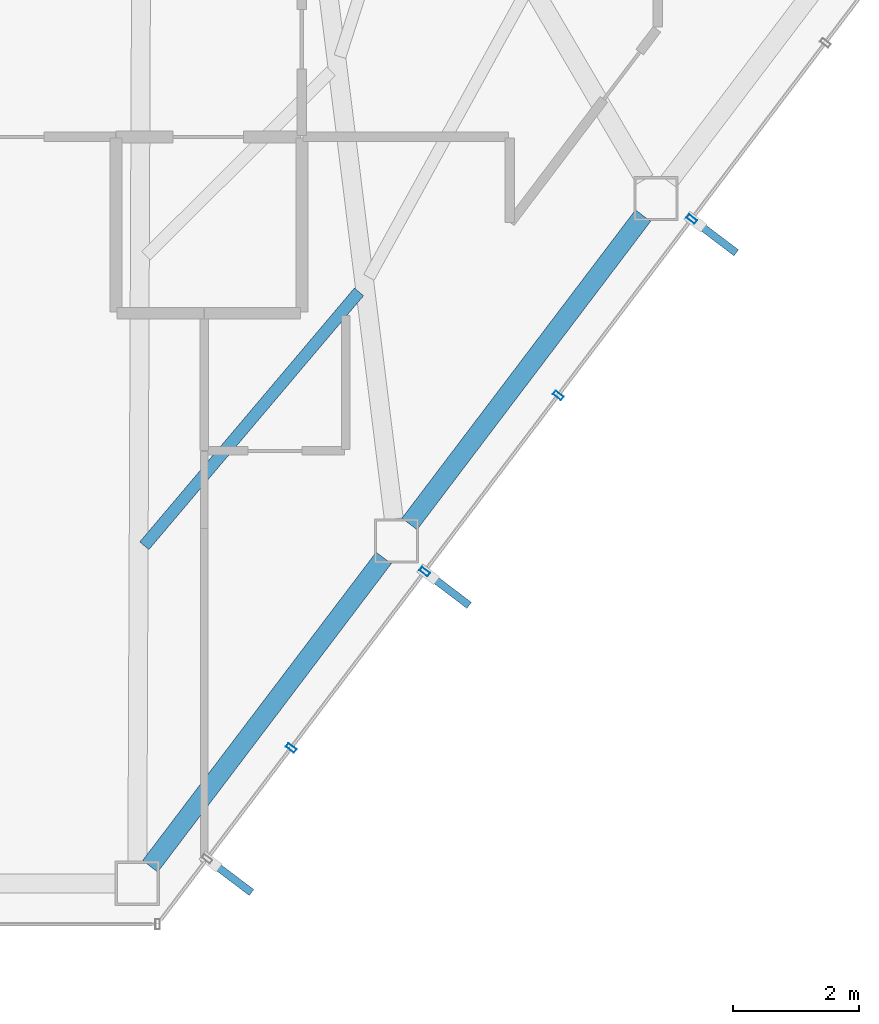
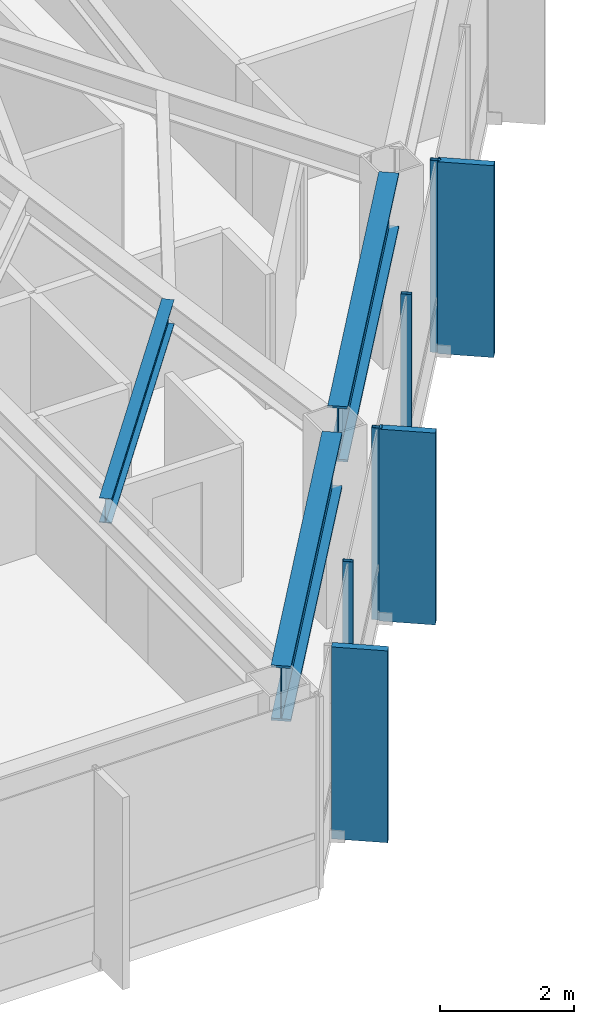
# One storey, part 17 of 28: 7 members, 3 beams, 1 element without a shape of its own.
"""IFC4 building model written with IfcOpenShell, lengths in metres."""

from ifc_helpers import new_model, si_unit, direction, frame, origin, origin_2d, place, context, subcontext, project, spatial, rectangle, hollow_rectangle, i_section, extrude, material, layer, layer_set, material_profile, profile_set, type_object, element, aggregate, save


model = new_model("IFC4")

# Units and contexts
model_context = context("Model", 3, precision=1e-05, world=origin(), true_north=direction((0.0, 1.0)))
body_context = subcontext(model_context, "Body", "Model", "MODEL_VIEW")
ifc_project = project(units=[si_unit("LENGTHUNIT", "METRE"), si_unit("AREAUNIT", "SQUARE_METRE"), si_unit("VOLUMEUNIT", "CUBIC_METRE"), si_unit("PLANEANGLEUNIT", "RADIAN"), si_unit("MASSUNIT", "GRAM", prefix="KILO")], contexts=[model_context])

# Site, building, storey
site_placement = place(None, origin())
site = spatial("IfcSite", under=ifc_project, at=site_placement, CompositionType="ELEMENT")
building_placement = place(site_placement, origin())
building = spatial("IfcBuilding", under=site, at=building_placement, Name="Zarrinselat Tower", CompositionType="ELEMENT")
storey_placement = place(building_placement, frame((0.0, 0.0, 164.56005859375)))
storey = spatial("IfcBuildingStorey", under=building, at=storey_placement, Name="L40", CompositionType="ELEMENT", Elevation=164.56005859375)

# Beams
ifc_material_1 = material(Name="Steel S460M", Category="steel")
ifc_material_profile_1 = material_profile(ifc_material_1, i_section(OverallWidth=0.302001953125, OverallDepth=1.008056640625, WebThickness=0.02099609375, FlangeThickness=0.0400390625, at=origin_2d()), Name="HEM 1000")
ifc_profile_set_1 = profile_set([ifc_material_profile_1], Name="Steel S460M")
beam_type_1 = type_object("IfcBeamType", Name="BM-HEM1000", PredefinedType="BEAM", material=ifc_profile_set_1)
beam_1_placement = place(storey_placement, frame((45.943603515625, 18.57275390625, 2.995849609375), z_axis=(0.603842375532, 0.797103748274, 0.0), x_axis=(-0.797103748274, 0.603842375532, 0.0)))
element("IfcBeam", 1, at=beam_1_placement, inside=storey, type_object=beam_type_1, Name="L40 Perimeter Spandrel Girder SP11", PredefinedType="BEAM", context=body_context, shape_type="SweptSolid", body=[
    extrude(i_section(OverallWidth=0.302001953125, OverallDepth=1.008056640625, WebThickness=0.02099609375, FlangeThickness=0.0400390625, at=origin_2d()), origin(), (0.0, 0.0, 1.0), 6.139404296875),
])
beam_2_placement = place(storey_placement, frame((50.05908203125, 24.00537109375, 2.995849609375), z_axis=(0.603867640738, 0.7970846081, 0.0), x_axis=(-0.7970846081, 0.603867640738, 0.0)))
element("IfcBeam", 2, at=beam_2_placement, inside=storey, type_object=beam_type_1, Name="L40 Perimeter Spandrel Girder SP12", PredefinedType="BEAM", context=body_context, shape_type="SweptSolid", body=[
    extrude(i_section(OverallWidth=0.302001953125, OverallDepth=1.008056640625, WebThickness=0.02099609375, FlangeThickness=0.0400390625, at=origin_2d()), origin(), (0.0, 0.0, 1.0), 6.1396484375),
])
ifc_material_2 = material(Name="Steel S355J2", Category="steel")
ifc_material_profile_2 = material_profile(ifc_material_2, i_section(OverallWidth=0.18994140625, OverallDepth=0.449951171875, WebThickness=0.009521484375, FlangeThickness=0.0146484375, at=origin_2d()), Name="IPE 450")
ifc_profile_set_2 = profile_set([ifc_material_profile_2], Name="Steel S355J2")
beam_type_2 = type_object("IfcBeamType", Name="BM-IPE450", PredefinedType="JOIST", material=ifc_profile_set_2)
beam_3_placement = place(storey_placement, frame((45.851318359375, 23.659912109375, 3.27490234375), z_axis=(0.645647662694, 0.763635446832, 0.0), x_axis=(-0.763635446832, 0.645647662694, 0.0)))
element("IfcBeam", 3, at=beam_3_placement, inside=storey, type_object=beam_type_2, Name="L40 Composite Floor Joist 3-1", PredefinedType="JOIST", context=body_context, shape_type="SweptSolid", body=[
    extrude(i_section(OverallWidth=0.18994140625, OverallDepth=0.449951171875, WebThickness=0.009521484375, FlangeThickness=0.0146484375, at=origin_2d()), origin(), (0.0, 0.0, 1.0), 5.2763671875),
])

# Curtain wall, members
ifc_material_3 = material(Name="Extruded Aluminium Alloy EN AW-6063 T6", Category="aluminium")
ifc_layer = layer(ifc_material_3, 0.175048828125)
ifc_layer_set = layer_set([ifc_layer], Name="Extruded Aluminium Alloy EN AW-6063 T6")
curtain_wall_type = type_object("IfcCurtainWallType", Name="CWS-HTL", PredefinedType="NOTDEFINED", material=ifc_layer_set)
curtain_wall_placement = place(storey_placement, origin())
curtain_wall = element("IfcCurtainWall", 4, at=curtain_wall_placement, inside=storey, type_object=curtain_wall_type, Name="L40 Unitised Curtain Wall CW-L40-E05", PredefinedType="NOTDEFINED")
ifc_material_4 = material(Name="Extruded Aluminium Alloy EN AW-6063 T6", Category="aluminium")
ifc_material_profile_3 = material_profile(ifc_material_4, hollow_rectangle(XDim=0.070068359375, YDim=0.159912109375, WallThickness=0.00390625, at=origin_2d()), Name="RHS 160x70x4")
ifc_profile_set_3 = profile_set([ifc_material_profile_3], Name="Extruded Aluminium Alloy EN AW-6063 T6")
member_type_1 = type_object("IfcMemberType", Name="MEM-CW-MUL2", PredefinedType="MULLION", material=ifc_profile_set_3)
member_1_placement = place(storey_placement, frame((48.181884765625, 20.450927734375, 0.0), z_axis=(0.0, 0.0, 1.0), x_axis=(0.603858853713, 0.797091265033, 0.0)))
member_1 = element("IfcMember", 5, at=member_1_placement, type_object=member_type_1, Name="CW-L40-E05 Mullion 2", PredefinedType="MULLION", context=body_context, shape_type="SweptSolid", body=[
    extrude(hollow_rectangle(XDim=0.070068359375, YDim=0.159912109375, WallThickness=0.00390625, at=origin_2d()), origin(), (0.0, 0.0, 1.0), 3.5),
])
member_2_placement = place(storey_placement, frame((50.301025390625, 23.248291015625, 0.0), z_axis=(0.0, 0.0, 1.0), x_axis=(0.603858853713, 0.797091265033, 0.0)))
member_2 = element("IfcMember", 6, at=member_2_placement, type_object=member_type_1, Name="CW-L40-E05 Mullion 3", PredefinedType="MULLION", context=body_context, shape_type="SweptSolid", body=[
    extrude(hollow_rectangle(XDim=0.070068359375, YDim=0.159912109375, WallThickness=0.00390625, at=origin_2d()), origin(), (0.0, 0.0, 1.0), 3.5),
])
member_3_placement = place(storey_placement, frame((52.42041015625, 26.0458984375, 0.0), z_axis=(0.0, 0.0, 1.0), x_axis=(0.603858853713, 0.797091265033, 0.0)))
member_3 = element("IfcMember", 7, at=member_3_placement, type_object=member_type_1, Name="CW-L40-E05 Mullion 4", PredefinedType="MULLION", context=body_context, shape_type="SweptSolid", body=[
    extrude(hollow_rectangle(XDim=0.070068359375, YDim=0.159912109375, WallThickness=0.00390625, at=origin_2d()), origin(), (0.0, 0.0, 1.0), 3.5),
])
member_4_placement = place(storey_placement, frame((54.539794921875, 28.843505859375, 0.0), z_axis=(0.0, 0.0, 1.0), x_axis=(0.603858853713, 0.797091265033, 0.0)))
member_4 = element("IfcMember", 8, at=member_4_placement, type_object=member_type_1, Name="CW-L40-E05 Mullion 5", PredefinedType="MULLION", context=body_context, shape_type="SweptSolid", body=[
    extrude(hollow_rectangle(XDim=0.070068359375, YDim=0.159912109375, WallThickness=0.00390625, at=origin_2d()), origin(), (0.0, 0.0, 1.0), 3.5),
])
ifc_material_5 = material(Name="Honed Cream Travertine Stone", Category="masonry")
ifc_material_profile_4 = material_profile(ifc_material_5, rectangle(XDim=0.1201171875, YDim=0.85009765625, at=origin_2d()), Name="FIN 850x120")
ifc_profile_set_4 = profile_set([ifc_material_profile_4], Name="Honed Cream Travertine Stone")
member_type_2 = type_object("IfcMemberType", Name="MEM-STONE-FIN", PredefinedType="USERDEFINED", material=ifc_profile_set_4)
member_5_placement = place(storey_placement, frame((47.214599609375, 18.412353515625, 0.0), z_axis=(0.0, 0.0, 1.0), x_axis=(-0.603858853713, -0.797091265033, 0.0)))
member_5 = element("IfcMember", 9, at=member_5_placement, type_object=member_type_2, Name="L40 Stone Shading Fin CW-L40-E05-01", ObjectType="FIN", PredefinedType="USERDEFINED", context=body_context, shape_type="SweptSolid", body=[
    extrude(rectangle(XDim=0.1201171875, YDim=0.85009765625, at=origin_2d()), origin(), (0.0, 0.0, 1.0), 3.5),
])
member_6_placement = place(storey_placement, frame((50.667724609375, 22.970703125, 0.0), z_axis=(0.0, 0.0, 1.0), x_axis=(-0.603858853713, -0.797091265033, 0.0)))
member_6 = element("IfcMember", 10, at=member_6_placement, type_object=member_type_2, Name="L40 Stone Shading Fin CW-L40-E05-03", ObjectType="FIN", PredefinedType="USERDEFINED", context=body_context, shape_type="SweptSolid", body=[
    extrude(rectangle(XDim=0.1201171875, YDim=0.85009765625, at=origin_2d()), origin(), (0.0, 0.0, 1.0), 3.5),
])
member_7_placement = place(storey_placement, frame((54.906494140625, 28.565673828125, 0.0), z_axis=(0.0, 0.0, 1.0), x_axis=(-0.603858853713, -0.797091265033, 0.0)))
member_7 = element("IfcMember", 11, at=member_7_placement, type_object=member_type_2, Name="L40 Stone Shading Fin CW-L40-E05-05", ObjectType="FIN", PredefinedType="USERDEFINED", context=body_context, shape_type="SweptSolid", body=[
    extrude(rectangle(XDim=0.1201171875, YDim=0.85009765625, at=origin_2d()), origin(), (0.0, 0.0, 1.0), 3.5),
])
aggregate(curtain_wall, [member_5, member_1, member_2, member_6, member_3, member_4, member_7])

save(model, "model.ifc")
